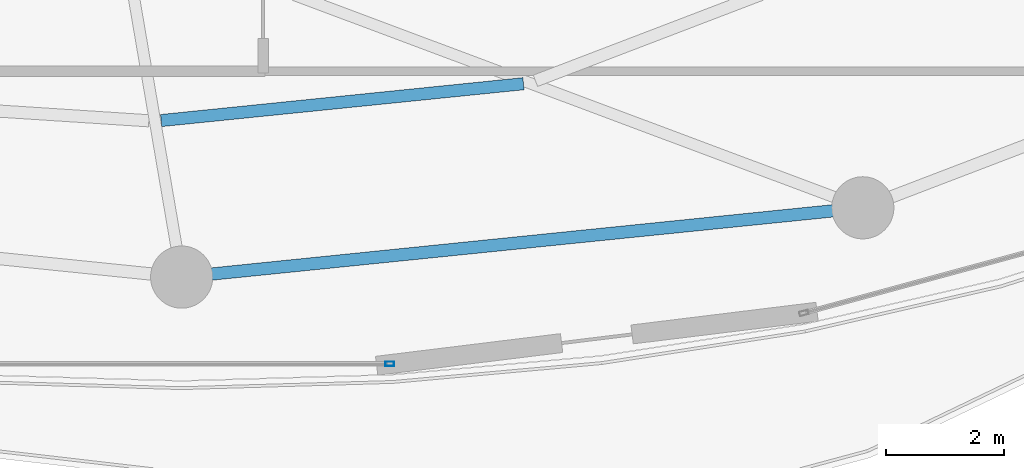
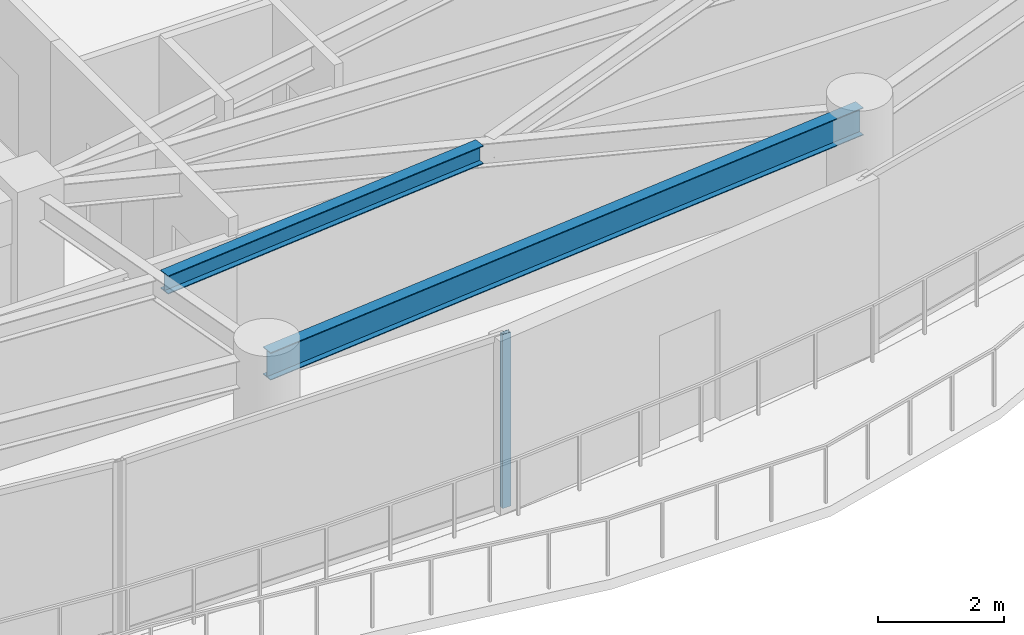
# One storey, part 10 of 31: 2 beams, 1 member, 1 element without a shape of its own.
"""IFC4 building model written with IfcOpenShell, lengths in metres."""

from ifc_helpers import new_model, si_unit, direction, frame, origin, origin_2d, place, context, subcontext, project, spatial, hollow_rectangle, i_section, extrude, material, layer, layer_set, material_profile, profile_set, type_object, element, aggregate, save


model = new_model("IFC4")

# Units and contexts
model_context = context("Model", 3, precision=1e-05, world=origin(), true_north=direction((0.0, 1.0)))
body_context = subcontext(model_context, "Body", "Model", "MODEL_VIEW")
ifc_project = project(units=[si_unit("LENGTHUNIT", "METRE"), si_unit("AREAUNIT", "SQUARE_METRE"), si_unit("VOLUMEUNIT", "CUBIC_METRE"), si_unit("PLANEANGLEUNIT", "RADIAN"), si_unit("MASSUNIT", "GRAM", prefix="KILO")], contexts=[model_context])

# Site, building, storey
site_placement = place(None, origin())
site = spatial("IfcSite", under=ifc_project, at=site_placement, CompositionType="ELEMENT")
building_placement = place(site_placement, origin())
building = spatial("IfcBuilding", under=site, at=building_placement, Name="Kazevale Care Tower and Concert Hall", CompositionType="ELEMENT")
storey_placement = place(building_placement, frame((0.0, 0.0, 217.199951171875)))
storey = spatial("IfcBuildingStorey", under=building, at=storey_placement, Name="L57", CompositionType="ELEMENT", Elevation=217.199951171875)

# Curtain wall, member
ifc_material_1 = material(Name="Aluminium 6063-T6 and Low-E Glass", Category="aluminium")
ifc_layer = layer(ifc_material_1, 0.179931640625)
ifc_layer_set = layer_set([ifc_layer], Name="Aluminium 6063-T6 and Low-E Glass")
curtain_wall_type = type_object("IfcCurtainWallType", Name="Sheltered Concave Balcony Curtain Wall CW-5", PredefinedType="NOTDEFINED", material=ifc_layer_set)
curtain_wall_placement = place(storey_placement, origin())
curtain_wall = element("IfcCurtainWall", 1, at=curtain_wall_placement, inside=storey, type_object=curtain_wall_type, Name="cw:L57:f06", PredefinedType="NOTDEFINED")
ifc_material_2 = material(Name="Aluminium 6063-T6", Category="aluminium")
ifc_material_profile_1 = material_profile(ifc_material_2, hollow_rectangle(XDim=0.074951171875, YDim=0.14990234375, WallThickness=0.00390625, at=origin_2d()), Name="ALU75x150x4")
ifc_profile_set_1 = profile_set([ifc_material_profile_1], Name="Aluminium 6063-T6")
member_type = type_object("IfcMemberType", Name="CW-5 Mullion ALU75x150x4", PredefinedType="MULLION", material=ifc_profile_set_1)
member_placement = place(storey_placement, frame((48.512451171875, 16.284912109375, 0.0), z_axis=(0.0, 0.0, 1.0), x_axis=(0.0, -1.0, 0.0)))
member = element("IfcMember", 2, at=member_placement, type_object=member_type, Name="CW-5 mullion 1", PredefinedType="MULLION", context=body_context, shape_type="SweptSolid", body=[
    extrude(hollow_rectangle(XDim=0.074951171875, YDim=0.14990234375, WallThickness=0.00390625, at=origin_2d()), origin(), (0.0, 0.0, 1.0), 3.360107421875),
])
aggregate(curtain_wall, [member])

# Beams
ifc_material_3 = material(Name="Steel ASTM A572 Gr 50", Category="steel")
ifc_material_profile_2 = material_profile(ifc_material_3, i_section(OverallWidth=0.205078125, OverallDepth=0.35400390625, WebThickness=0.009521484375, FlangeThickness=0.016845703125, at=origin_2d()), Name="W360x79")
ifc_profile_set_2 = profile_set([ifc_material_profile_2], Name="Steel ASTM A572 Gr 50")
beam_type_1 = type_object("IfcBeamType", Name="Secondary Floor Joist W360x79", PredefinedType="JOIST", material=ifc_profile_set_2)
beam_1_placement = place(storey_placement, frame((44.654052734375, 20.39306640625, 3.18310546875), z_axis=(0.994872697807, 0.10113513316, 0.0), x_axis=(-0.10113513316, 0.994872697807, 0.0)))
element("IfcBeam", 3, at=beam_1_placement, inside=storey, type_object=beam_type_1, Name="beam:L57:joist:13", PredefinedType="JOIST", context=body_context, shape_type="SweptSolid", body=[
    extrude(i_section(OverallWidth=0.205078125, OverallDepth=0.35400390625, WebThickness=0.009521484375, FlangeThickness=0.016845703125, at=origin_2d()), origin(), (0.0, 0.0, 1.0), 6.1484375),
])
ifc_material_profile_3 = material_profile(ifc_material_3, i_section(OverallWidth=0.208984375, OverallDepth=0.532958984375, WebThickness=0.01025390625, FlangeThickness=0.015625, at=origin_2d()), Name="W530x92")
ifc_profile_set_3 = profile_set([ifc_material_profile_3], Name="Steel ASTM A572 Gr 50")
beam_type_2 = type_object("IfcBeamType", Name="Upper Ring Beam W530x92", PredefinedType="BEAM", material=ifc_profile_set_3)
beam_2_placement = place(storey_placement, frame((45.0, 17.75, 3.093505859375), z_axis=(0.994865089307, 0.101209950492, 0.0), x_axis=(-0.101209950492, 0.994865089307, 0.0)))
element("IfcBeam", 4, at=beam_2_placement, inside=storey, type_object=beam_type_2, Name="beam:L57:ring:13", PredefinedType="BEAM", context=body_context, shape_type="SweptSolid", body=[
    extrude(i_section(OverallWidth=0.208984375, OverallDepth=0.532958984375, WebThickness=0.01025390625, FlangeThickness=0.015625, at=origin_2d()), origin(), (0.0, 0.0, 1.0), 11.559326171875),
])

save(model, "model.ifc")
